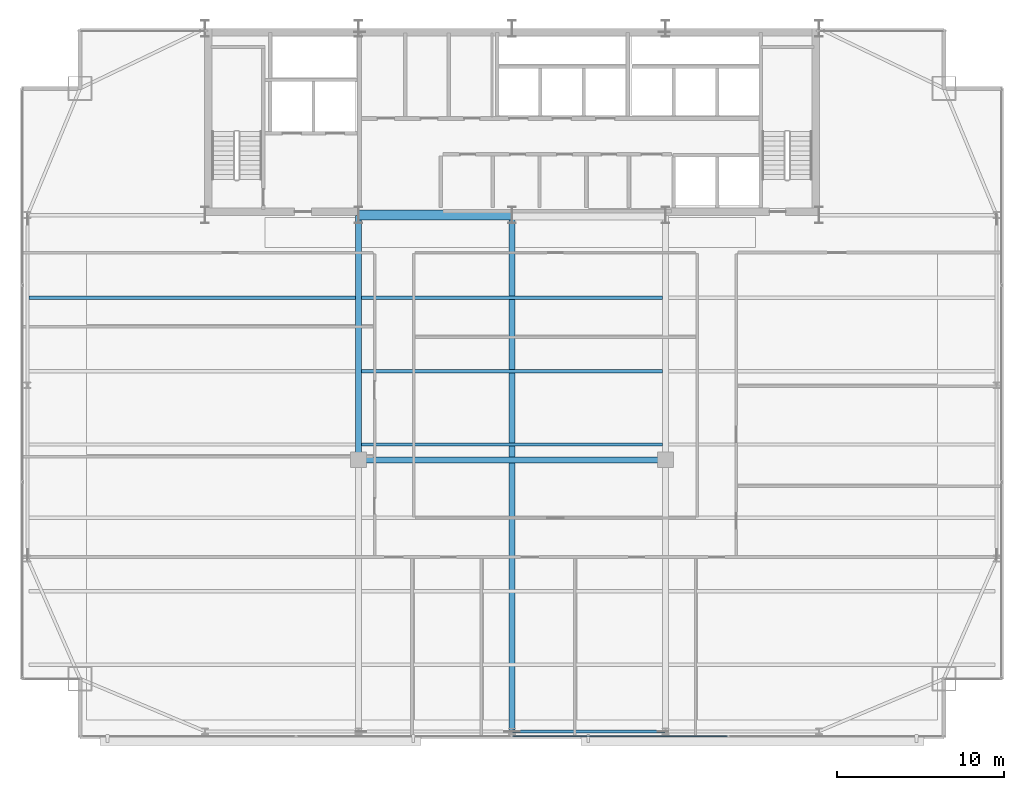
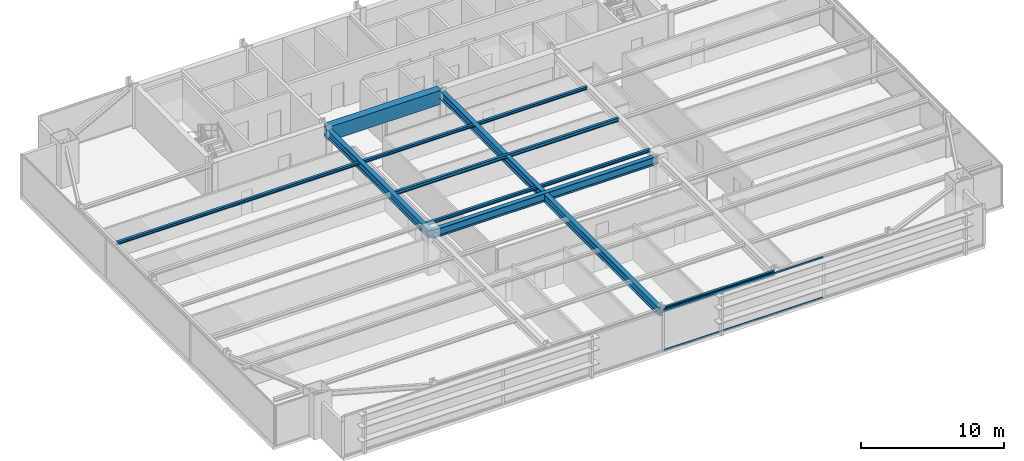
# One storey, part 11 of 33: 9 beams, 2 members, 1 element without a shape of its own.
"""IFC4 building model written with IfcOpenShell, lengths in metres."""

from ifc_helpers import new_model, si_unit, direction, frame, origin, origin_2d, place, context, subcontext, project, spatial, rectangle, hollow_rectangle, i_section, extrude, source, transform, mapped, material, layer, layer_set, material_profile, profile_set, type_object, type_shapes, element, aggregate, save


model = new_model("IFC4")

# Units and contexts
model_context = context("Model", 3, precision=1e-05, world=origin(), true_north=direction((0.0, 1.0)))
body_context = subcontext(model_context, "Body", "Model", "MODEL_VIEW")
ifc_project = project(units=[si_unit("LENGTHUNIT", "METRE"), si_unit("AREAUNIT", "SQUARE_METRE"), si_unit("VOLUMEUNIT", "CUBIC_METRE"), si_unit("PLANEANGLEUNIT", "RADIAN"), si_unit("MASSUNIT", "GRAM", prefix="KILO")], contexts=[model_context])

# Site, building, storey
site_placement = place(None, origin())
site = spatial("IfcSite", under=ifc_project, at=site_placement, CompositionType="ELEMENT")
building_placement = place(site_placement, origin())
building = spatial("IfcBuilding", under=site, at=building_placement, Name="Varnel Quay Broadcast Tower", CompositionType="ELEMENT")
storey_placement = place(building_placement, frame((0.0, 0.0, 137.199951171875)))
storey = spatial("IfcBuildingStorey", under=building, at=storey_placement, Name="L33", CompositionType="ELEMENT", Elevation=137.199951171875)

# Beams
ifc_material_1 = material(Name="Structural Steel CSA G40.21 350W", Category="steel")
ifc_material_profile_1 = material_profile(ifc_material_1, i_section(OverallWidth=0.180908203125, OverallDepth=0.4169921875, WebThickness=0.010986328125, FlangeThickness=0.018310546875, FilletRadius=0.011962890625, at=origin_2d()), Name="W410X85")
ifc_profile_set_1 = profile_set([ifc_material_profile_1], Name="Structural Steel CSA G40.21 350W")
beam_type_1 = type_object("IfcBeamType", Name="Beam_W410X85", PredefinedType="SPANDREL", material=ifc_profile_set_1)
shared_shape_1 = source(origin(), body_context, "Body", "SweptSolid", [
    extrude(i_section(OverallWidth=0.180908203125, OverallDepth=0.4169921875, WebThickness=0.010986328125, FlangeThickness=0.018310546875, FilletRadius=0.011962890625, at=origin_2d()), origin(), (0.0, 0.0, 1.0), 9.159912109375),
])
type_shapes(beam_type_1, [shared_shape_1])
beam_1_placement = place(storey_placement, frame((34.02001953125, 4.64990234375, 3.271484375), z_axis=(1.0, 0.0, 0.0), x_axis=(0.0, 1.0, 0.0)))
element("IfcBeam", 1, at=beam_1_placement, inside=storey, type_object=beam_type_1, Name="L33 South Spandrel TC-S3-TC-S4", PredefinedType="SPANDREL", context=body_context, shape_type="MappedRepresentation", body=[
    mapped(shared_shape_1, transform((0.0, 0.0, 0.0), x_axis=(1.0, 0.0, 0.0), y_axis=(0.0, 1.0, 0.0), z_axis=(0.0, 0.0, 1.0), scale=1.0)),
])
ifc_material_2 = material(Name="Concrete CSA A23.3 C60/75", Category="concrete")
ifc_material_profile_2 = material_profile(ifc_material_2, rectangle(XDim=0.60009765625, YDim=1.199951171875, at=origin_2d()), Name="RC600X1200")
ifc_profile_set_2 = profile_set([ifc_material_profile_2], Name="Concrete CSA A23.3 C60/75")
beam_type_2 = type_object("IfcBeamType", Name="Beam_RC600X1200", PredefinedType="BEAM", material=ifc_profile_set_2)
shared_shape_2 = source(origin(), body_context, "Body", "SweptSolid", [
    extrude(rectangle(XDim=0.60009765625, YDim=1.199951171875, at=origin_2d()), origin(), (0.0, 0.0, 1.0), 9.159912109375),
])
type_shapes(beam_type_2, [shared_shape_2])
beam_2_placement = place(storey_placement, frame((24.820068359375, 35.60009765625, 2.880126953125), z_axis=(1.0, 0.0, 0.0), x_axis=(0.0, 1.0, 0.0)))
element("IfcBeam", 2, at=beam_2_placement, inside=storey, type_object=beam_type_2, Name="L33 Core Coupling Beam W", PredefinedType="BEAM", context=body_context, shape_type="MappedRepresentation", body=[
    mapped(shared_shape_2, transform((0.0, 0.0, 0.0), x_axis=(1.0, 0.0, 0.0), y_axis=(0.0, 1.0, 0.0), z_axis=(0.0, 0.0, 1.0), scale=1.0)),
])
ifc_material_profile_3 = material_profile(ifc_material_1, i_section(OverallWidth=0.35498046875, OverallDepth=0.695068359375, WebThickness=0.015380859375, FlangeThickness=0.02490234375, FilletRadius=0.01806640625, at=origin_2d()), Name="W690X217")
ifc_profile_set_3 = profile_set([ifc_material_profile_3], Name="Structural Steel CSA G40.21 350W")
beam_type_3 = type_object("IfcBeamType", Name="Girder_W690X217", PredefinedType="BEAM", material=ifc_profile_set_3)
shared_shape_3 = source(origin(), body_context, "Body", "SweptSolid", [
    extrude(i_section(OverallWidth=0.35498046875, OverallDepth=0.695068359375, WebThickness=0.015380859375, FlangeThickness=0.02490234375, FilletRadius=0.01806640625, at=origin_2d()), origin(), (0.0, 0.0, 1.0), 14.630126953125),
])
beam_3_placement = place(storey_placement, frame((24.800048828125, 20.949951171875, 3.132568359375), z_axis=(0.0, 1.0, 0.0), x_axis=(-1.0, 0.0, 0.0)))
element("IfcBeam", 3, at=beam_3_placement, inside=storey, type_object=beam_type_3, Name="L33 Primary Girder IC-01-CC-S2", PredefinedType="BEAM", context=body_context, shape_type="MappedRepresentation", body=[
    mapped(shared_shape_3, transform((0.0, 0.0, 0.0), x_axis=(1.0, 0.0, 0.0), y_axis=(0.0, 1.0, 0.0), z_axis=(0.0, 0.0, 1.0), scale=1.0)),
])
shared_shape_4 = source(origin(), body_context, "Body", "SweptSolid", [
    extrude(i_section(OverallWidth=0.35498046875, OverallDepth=0.695068359375, WebThickness=0.015380859375, FlangeThickness=0.02490234375, FilletRadius=0.01806640625, at=origin_2d()), origin(), (0.0, 0.0, 1.0), 18.35986328125),
])
beam_4_placement = place(storey_placement, frame((24.820068359375, 20.929931640625, 3.132568359375), z_axis=(1.0, 0.0, 0.0), x_axis=(0.0, 1.0, 0.0)))
element("IfcBeam", 4, at=beam_4_placement, inside=storey, type_object=beam_type_3, Name="L33 Interior Spine Girder", PredefinedType="BEAM", context=body_context, shape_type="MappedRepresentation", body=[
    mapped(shared_shape_4, transform((0.0, 0.0, 0.0), x_axis=(1.0, 0.0, 0.0), y_axis=(0.0, 1.0, 0.0), z_axis=(0.0, 0.0, 1.0), scale=1.0)),
])
shared_shape_5 = source(origin(), body_context, "Body", "SweptSolid", [
    extrude(i_section(OverallWidth=0.35498046875, OverallDepth=0.695068359375, WebThickness=0.015380859375, FlangeThickness=0.02490234375, FilletRadius=0.01806640625, at=origin_2d()), origin(), (0.0, 0.0, 1.0), 30.91015625),
])
type_shapes(beam_type_3, [shared_shape_3, shared_shape_4, shared_shape_5])
beam_5_placement = place(storey_placement, frame((34.0, 4.669921875, 3.132568359375), z_axis=(0.0, 1.0, 0.0), x_axis=(-1.0, 0.0, 0.0)))
element("IfcBeam", 5, at=beam_5_placement, inside=storey, type_object=beam_type_3, Name="L33 Central Bay Girder", PredefinedType="BEAM", context=body_context, shape_type="MappedRepresentation", body=[
    mapped(shared_shape_5, transform((0.0, 0.0, 0.0), x_axis=(1.0, 0.0, 0.0), y_axis=(0.0, 1.0, 0.0), z_axis=(0.0, 0.0, 1.0), scale=1.0)),
])
ifc_material_profile_4 = material_profile(ifc_material_1, i_section(OverallWidth=0.202880859375, OverallDepth=0.302978515625, WebThickness=0.007568359375, FlangeThickness=0.01318359375, FilletRadius=0.011962890625, at=origin_2d()), Name="W310X60")
ifc_profile_set_4 = profile_set([ifc_material_profile_4], Name="Structural Steel CSA G40.21 350W")
beam_type_4 = type_object("IfcBeamType", Name="Beam_W310X60", PredefinedType="JOIST", material=ifc_profile_set_4)
shared_shape_6 = source(origin(), body_context, "Body", "SweptSolid", [
    extrude(i_section(OverallWidth=0.202880859375, OverallDepth=0.302978515625, WebThickness=0.007568359375, FlangeThickness=0.01318359375, FilletRadius=0.011962890625, at=origin_2d()), origin(), (0.0, 0.0, 1.0), 18.05517578125),
])
type_shapes(beam_type_4, [shared_shape_6])
beam_6_placement = place(storey_placement, frame((24.972412109375, 26.25, 3.32861328125), z_axis=(1.0, 0.0, 0.0), x_axis=(0.0, 1.0, 0.0)))
element("IfcBeam", 6, at=beam_6_placement, inside=storey, type_object=beam_type_4, Name="L33 Central Floor Joist 5", PredefinedType="JOIST", context=body_context, shape_type="MappedRepresentation", body=[
    mapped(shared_shape_6, transform((0.0, 0.0, 0.0), x_axis=(1.0, 0.0, 0.0), y_axis=(0.0, 1.0, 0.0), z_axis=(0.0, 0.0, 1.0), scale=1.0)),
])
ifc_material_profile_5 = material_profile(ifc_material_1, i_section(OverallWidth=0.201904296875, OverallDepth=0.2470703125, WebThickness=0.00732421875, FlangeThickness=0.010986328125, FilletRadius=0.010986328125, at=origin_2d()), Name="W250X49")
ifc_profile_set_5 = profile_set([ifc_material_profile_5], Name="Structural Steel CSA G40.21 350W")
beam_type_5 = type_object("IfcBeamType", Name="Beam_W250X49", PredefinedType="JOIST", material=ifc_profile_set_5)
shared_shape_7 = source(origin(), body_context, "Body", "SweptSolid", [
    extrude(i_section(OverallWidth=0.201904296875, OverallDepth=0.2470703125, WebThickness=0.00732421875, FlangeThickness=0.010986328125, FilletRadius=0.010986328125, at=origin_2d()), origin(), (0.0, 0.0, 1.0), 19.592041015625),
])
beam_7_placement = place(storey_placement, frame((5.035400390625, 30.64990234375, 3.3564453125), z_axis=(1.0, 0.0, 0.0), x_axis=(0.0, 1.0, 0.0)))
element("IfcBeam", 7, at=beam_7_placement, inside=storey, type_object=beam_type_5, Name="L33 West Floor Joist 6", PredefinedType="JOIST", context=body_context, shape_type="MappedRepresentation", body=[
    mapped(shared_shape_7, transform((0.0, 0.0, 0.0), x_axis=(1.0, 0.0, 0.0), y_axis=(0.0, 1.0, 0.0), z_axis=(0.0, 0.0, 1.0), scale=1.0)),
])
shared_shape_8 = source(origin(), body_context, "Body", "SweptSolid", [
    extrude(i_section(OverallWidth=0.201904296875, OverallDepth=0.2470703125, WebThickness=0.00732421875, FlangeThickness=0.010986328125, FilletRadius=0.010986328125, at=origin_2d()), origin(), (0.0, 0.0, 1.0), 18.05517578125),
])
type_shapes(beam_type_5, [shared_shape_7, shared_shape_8])
for number, where, z_axis, x_axis, name in (
    (8, (24.972412109375, 21.85009765625, 3.3564453125), (1.0, 0.0, 0.0), (0.0, 1.0, 0.0), "L33 Central Floor Joist 4"),
    (9, (24.972412109375, 30.64990234375, 3.3564453125), (1.0, 0.0, 0.0), (0.0, 1.0, 0.0), "L33 Central Floor Joist 6"),
):
    element("IfcBeam", number, at=place(storey_placement, frame(where, z_axis=z_axis, x_axis=x_axis)), inside=storey, type_object=beam_type_5, Name=name, PredefinedType="JOIST", context=body_context, shape_type="MappedRepresentation", body=[
        mapped(shared_shape_8, transform((0.0, 0.0, 0.0), x_axis=(1.0, 0.0, 0.0), y_axis=(0.0, 1.0, 0.0), z_axis=(0.0, 0.0, 1.0), scale=1.0)),
    ])

# Curtain wall, members
ifc_material_3 = material(Name="Anodised Bronze Aluminium 6063-T6", Category="aluminium")
ifc_layer = layer(ifc_material_3, 0.18994140625, Name="Anodised Bronze Aluminium 6063-T6")
ifc_layer_set = layer_set([ifc_layer], Name="Anodised Bronze Aluminium 6063-T6")
curtain_wall_type = type_object("IfcCurtainWallType", Name="CW_LowerTower", PredefinedType="NOTDEFINED", material=ifc_layer_set)
curtain_wall_placement = place(storey_placement, origin())
curtain_wall = element("IfcCurtainWall", 10, at=curtain_wall_placement, inside=storey, type_object=curtain_wall_type, Name="L33 South Unitised Curtain Wall 1", PredefinedType="NOTDEFINED")
ifc_material_profile_6 = material_profile(ifc_material_3, hollow_rectangle(XDim=0.06005859375, YDim=0.14501953125, WallThickness=0.00341796875, at=origin_2d()), Name="ALU60X145X3.5")
ifc_profile_set_6 = profile_set([ifc_material_profile_6], Name="Anodised Bronze Aluminium 6063-T6")
member_type = type_object("IfcMemberType", Name="Tran_CWS-02", PredefinedType="USERDEFINED", material=ifc_profile_set_6)
shared_shape_9 = source(origin(), body_context, "Body", "SweptSolid", [
    extrude(hollow_rectangle(XDim=0.06005859375, YDim=0.14501953125, WallThickness=0.00341796875, at=origin_2d()), origin(), (0.0, 0.0, 1.0), 12.880126953125),
])
type_shapes(member_type, [shared_shape_9])
member_1_placement = place(storey_placement, frame((34.034912109375, 4.35009765625, 0.030029296875), z_axis=(1.0, 0.0, 0.0), x_axis=(0.0, 1.0, 0.0)))
member_1 = element("IfcMember", 11, at=member_1_placement, type_object=member_type, Name="CWS-02 transom 3.1", ObjectType="TRANSOM", PredefinedType="USERDEFINED", context=body_context, shape_type="MappedRepresentation", body=[
    mapped(shared_shape_9, transform((0.0, 0.0, 0.0), x_axis=(1.0, 0.0, 0.0), y_axis=(0.0, 1.0, 0.0), z_axis=(0.0, 0.0, 1.0), scale=1.0)),
])
member_2_placement = place(storey_placement, frame((34.034912109375, 4.35009765625, 3.449951171875), z_axis=(1.0, 0.0, 0.0), x_axis=(0.0, 1.0, 0.0)))
member_2 = element("IfcMember", 12, at=member_2_placement, type_object=member_type, Name="CWS-02 transom 3.2", ObjectType="TRANSOM", PredefinedType="USERDEFINED", context=body_context, shape_type="MappedRepresentation", body=[
    mapped(shared_shape_9, transform((0.0, 0.0, 0.0), x_axis=(1.0, 0.0, 0.0), y_axis=(0.0, 1.0, 0.0), z_axis=(0.0, 0.0, 1.0), scale=1.0)),
])
aggregate(curtain_wall, [member_1, member_2])

save(model, "model.ifc")
